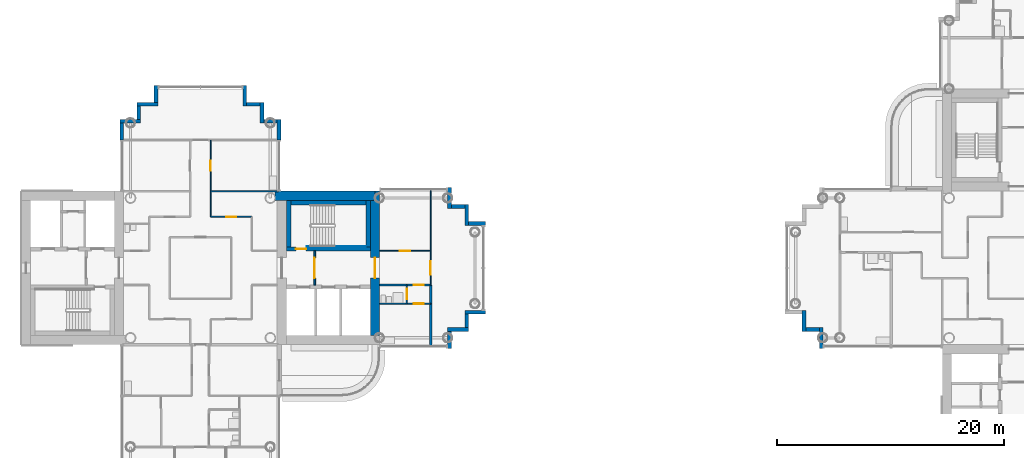
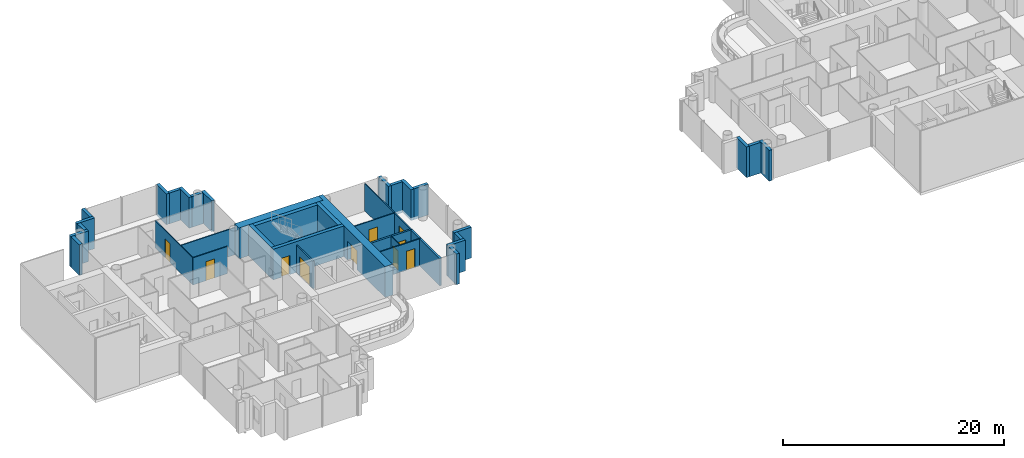
# One storey, part 9 of 19: 38 walls, 10 doors, 10 openings.
"""IFC4 building model written with IfcOpenShell, lengths in metres."""

from ifc_helpers import new_model, si_unit, direction, frame, frame_2d, origin, place, context, subcontext, project, spatial, rectangle, extrude, material, layer, layer_set, type_object, element, fill, save


model = new_model("IFC4")

# Units and contexts
model_context = context("Model", 3, precision=1e-05, world=origin(), true_north=direction((0.0, 1.0)))
body_context = subcontext(model_context, "Body", "Model", "MODEL_VIEW")
ifc_project = project(units=[si_unit("LENGTHUNIT", "METRE"), si_unit("AREAUNIT", "SQUARE_METRE"), si_unit("VOLUMEUNIT", "CUBIC_METRE"), si_unit("PLANEANGLEUNIT", "RADIAN"), si_unit("MASSUNIT", "GRAM", prefix="KILO")], contexts=[model_context])

# Site, building, storey
site_placement = place(None, origin())
site = spatial("IfcSite", under=ifc_project, at=site_placement, CompositionType="ELEMENT")
building_placement = place(site_placement, origin())
building = spatial("IfcBuilding", under=site, at=building_placement, Name="Ipe Terrace Towers", CompositionType="ELEMENT")
storey_placement = place(building_placement, frame((0.0, 0.0, 140.5)))
storey = spatial("IfcBuildingStorey", under=building, at=storey_placement, Name="L38", CompositionType="ELEMENT", Elevation=140.5)

# Walls
ifc_material_1 = material(Name="Concrete C40/50 with buff precast cladding", Category="concrete")
ifc_layer_1 = layer(ifc_material_1, 0.320068359375)
ifc_layer_set_1 = layer_set([ifc_layer_1], Name="BUFF CLADDING WALL 320")
wall_type_1 = type_object("IfcWallType", Name="BUFF CLADDING WALL 320", PredefinedType="STANDARD", material=ifc_layer_set_1)
wall_1_placement = place(storey_placement, frame((-14.090087890625, -7.070068359375, -0.300048828125), z_axis=(0.0, 0.0, 1.0), x_axis=(0.0, 1.0, 0.0)))
element("IfcWall", 1, at=wall_1_placement, inside=storey, type_object=wall_type_1, Name="T1-W-L38-17a wall", PredefinedType="STANDARD", context=body_context, shape_type="SweptSolid", body=[
    extrude(rectangle(XDim=1.5, YDim=0.320068359375, at=frame_2d((0.75, 0.0))), origin(), (0.0, 0.0, 1.0), 3.400146484375),
])
wall_2_placement = place(storey_placement, frame((-14.25, -5.409912109375, -0.300048828125), z_axis=(0.0, 0.0, 1.0), x_axis=(1.0, 0.0, 0.0)))
element("IfcWall", 2, at=wall_2_placement, inside=storey, type_object=wall_type_1, Name="T1-W-L38-18a wall", PredefinedType="STANDARD", context=body_context, shape_type="SweptSolid", body=[
    extrude(rectangle(XDim=1.820068359375, YDim=0.320068359375, at=frame_2d((0.91015625, 0.0))), origin(), (0.0, 0.0, 1.0), 3.400146484375),
])
wall_3_placement = place(storey_placement, frame((-12.590087890625, -5.25, -0.300048828125), z_axis=(0.0, 0.0, 1.0), x_axis=(0.0, 1.0, 0.0)))
element("IfcWall", 3, at=wall_3_placement, inside=storey, type_object=wall_type_1, Name="T1-W-L38-19a wall", PredefinedType="STANDARD", context=body_context, shape_type="SweptSolid", body=[
    extrude(rectangle(XDim=1.179931640625, YDim=0.320068359375, at=frame_2d((0.58984375, 0.0))), origin(), (0.0, 0.0, 1.0), 3.400146484375),
])
wall_4_placement = place(storey_placement, frame((-12.75, -3.909912109375, -0.300048828125), z_axis=(0.0, 0.0, 1.0), x_axis=(1.0, 0.0, 0.0)))
element("IfcWall", 4, at=wall_4_placement, inside=storey, type_object=wall_type_1, Name="T1-W-L38-20a wall", PredefinedType="STANDARD", context=body_context, shape_type="SweptSolid", body=[
    extrude(rectangle(XDim=1.820068359375, YDim=0.320068359375, at=frame_2d((0.91015625, 0.0))), origin(), (0.0, 0.0, 1.0), 3.400146484375),
])
wall_5_placement = place(storey_placement, frame((-10.929931640625, 3.909912109375, -0.300048828125), z_axis=(0.0, 0.0, 1.0), x_axis=(-1.0, 0.0, 0.0)))
element("IfcWall", 5, at=wall_5_placement, inside=storey, type_object=wall_type_1, Name="T1-W-L38-22a wall", PredefinedType="STANDARD", context=body_context, shape_type="SweptSolid", body=[
    extrude(rectangle(XDim=1.5, YDim=0.320068359375, at=frame_2d((0.75, 0.0))), origin(), (0.0, 0.0, 1.0), 3.400146484375),
])
wall_6_placement = place(storey_placement, frame((-12.590087890625, 3.75, -0.300048828125), z_axis=(0.0, 0.0, 1.0), x_axis=(0.0, 1.0, 0.0)))
element("IfcWall", 6, at=wall_6_placement, inside=storey, type_object=wall_type_1, Name="T1-W-L38-23a wall", PredefinedType="STANDARD", context=body_context, shape_type="SweptSolid", body=[
    extrude(rectangle(XDim=1.820068359375, YDim=0.320068359375, at=frame_2d((0.91015625, 0.0))), origin(), (0.0, 0.0, 1.0), 3.400146484375),
])
wall_7_placement = place(storey_placement, frame((-12.75, 5.409912109375, -0.300048828125), z_axis=(0.0, 0.0, 1.0), x_axis=(-1.0, 0.0, 0.0)))
element("IfcWall", 7, at=wall_7_placement, inside=storey, type_object=wall_type_1, Name="T1-W-L38-24a wall", PredefinedType="STANDARD", context=body_context, shape_type="SweptSolid", body=[
    extrude(rectangle(XDim=1.179931640625, YDim=0.320068359375, at=frame_2d((0.58984375, 0.0))), origin(), (0.0, 0.0, 1.0), 3.400146484375),
])
for number, where, z_axis, x_axis, name in (
    (8, (-14.090087890625, 5.25, -0.300048828125), (0.0, 0.0, 1.0), (0.0, 1.0, 0.0), "T1-W-L38-25a wall"),
    (9, (-29.090087890625, 11.25, -0.300048828125), (0.0, 0.0, 1.0), (0.0, 1.0, 0.0), "T1-W-L38-29a wall"),
):
    element("IfcWall", number, at=place(storey_placement, frame(where, z_axis=z_axis, x_axis=x_axis)), inside=storey, type_object=wall_type_1, Name=name, PredefinedType="STANDARD", context=body_context, shape_type="SweptSolid", body=[
        extrude(rectangle(XDim=1.820068359375, YDim=0.320068359375, at=frame_2d((0.91015625, 0.0))), origin(), (0.0, 0.0, 1.0), 3.400146484375),
    ])
wall_8_placement = place(storey_placement, frame((-29.25, 12.909912109375, -0.300048828125), z_axis=(0.0, 0.0, 1.0), x_axis=(-1.0, 0.0, 0.0)))
element("IfcWall", 10, at=wall_8_placement, inside=storey, type_object=wall_type_1, Name="T1-W-L38-30a wall", PredefinedType="STANDARD", context=body_context, shape_type="SweptSolid", body=[
    extrude(rectangle(XDim=1.179931640625, YDim=0.320068359375, at=frame_2d((0.58984375, 0.0))), origin(), (0.0, 0.0, 1.0), 3.400146484375),
])
wall_9_placement = place(storey_placement, frame((-30.590087890625, 12.75, -0.300048828125), z_axis=(0.0, 0.0, 1.0), x_axis=(0.0, 1.0, 0.0)))
element("IfcWall", 11, at=wall_9_placement, inside=storey, type_object=wall_type_1, Name="T1-W-L38-31a wall", PredefinedType="STANDARD", context=body_context, shape_type="SweptSolid", body=[
    extrude(rectangle(XDim=1.820068359375, YDim=0.320068359375, at=frame_2d((0.91015625, 0.0))), origin(), (0.0, 0.0, 1.0), 3.400146484375),
])
wall_10_placement = place(storey_placement, frame((-30.75, 14.409912109375, -0.300048828125), z_axis=(0.0, 0.0, 1.0), x_axis=(-1.0, 0.0, 0.0)))
element("IfcWall", 12, at=wall_10_placement, inside=storey, type_object=wall_type_1, Name="T1-W-L38-32a wall", PredefinedType="STANDARD", context=body_context, shape_type="SweptSolid", body=[
    extrude(rectangle(XDim=1.179931640625, YDim=0.320068359375, at=frame_2d((0.58984375, 0.0))), origin(), (0.0, 0.0, 1.0), 3.400146484375),
])
wall_11_placement = place(storey_placement, frame((-32.090087890625, 14.25, -0.300048828125), z_axis=(0.0, 0.0, 1.0), x_axis=(0.0, 1.0, 0.0)))
element("IfcWall", 13, at=wall_11_placement, inside=storey, type_object=wall_type_1, Name="T1-W-L38-33a wall", PredefinedType="STANDARD", context=body_context, shape_type="SweptSolid", body=[
    extrude(rectangle(XDim=1.820068359375, YDim=0.320068359375, at=frame_2d((0.91015625, 0.0))), origin(), (0.0, 0.0, 1.0), 3.400146484375),
])
wall_12_placement = place(storey_placement, frame((-39.909912109375, 16.070068359375, -0.300048828125), z_axis=(0.0, 0.0, 1.0), x_axis=(0.0, -1.0, 0.0)))
element("IfcWall", 14, at=wall_12_placement, inside=storey, type_object=wall_type_1, Name="T1-W-L38-35a wall", PredefinedType="STANDARD", context=body_context, shape_type="SweptSolid", body=[
    extrude(rectangle(XDim=1.5, YDim=0.320068359375, at=frame_2d((0.75, 0.0))), origin(), (0.0, 0.0, 1.0), 3.400146484375),
])
wall_13_placement = place(storey_placement, frame((-39.75, 14.409912109375, -0.300048828125), z_axis=(0.0, 0.0, 1.0), x_axis=(-1.0, 0.0, 0.0)))
element("IfcWall", 15, at=wall_13_placement, inside=storey, type_object=wall_type_1, Name="T1-W-L38-36a wall", PredefinedType="STANDARD", context=body_context, shape_type="SweptSolid", body=[
    extrude(rectangle(XDim=1.820068359375, YDim=0.320068359375, at=frame_2d((0.91015625, 0.0))), origin(), (0.0, 0.0, 1.0), 3.400146484375),
])
wall_14_placement = place(storey_placement, frame((-41.409912109375, 14.25, -0.300048828125), z_axis=(0.0, 0.0, 1.0), x_axis=(0.0, -1.0, 0.0)))
element("IfcWall", 16, at=wall_14_placement, inside=storey, type_object=wall_type_1, Name="T1-W-L38-37a wall", PredefinedType="STANDARD", context=body_context, shape_type="SweptSolid", body=[
    extrude(rectangle(XDim=1.179931640625, YDim=0.320068359375, at=frame_2d((0.58984375, 0.0))), origin(), (0.0, 0.0, 1.0), 3.400146484375),
])
wall_15_placement = place(storey_placement, frame((-41.25, 12.909912109375, -0.300048828125), z_axis=(0.0, 0.0, 1.0), x_axis=(-1.0, 0.0, 0.0)))
element("IfcWall", 17, at=wall_15_placement, inside=storey, type_object=wall_type_1, Name="T1-W-L38-38a wall", PredefinedType="STANDARD", context=body_context, shape_type="SweptSolid", body=[
    extrude(rectangle(XDim=1.820068359375, YDim=0.320068359375, at=frame_2d((0.91015625, 0.0))), origin(), (0.0, 0.0, 1.0), 3.400146484375),
])
wall_16_placement = place(storey_placement, frame((-42.909912109375, 12.75, -0.300048828125), z_axis=(0.0, 0.0, 1.0), x_axis=(0.0, -1.0, 0.0)))
element("IfcWall", 18, at=wall_16_placement, inside=storey, type_object=wall_type_1, Name="T1-W-L38-39a wall", PredefinedType="STANDARD", context=body_context, shape_type="SweptSolid", body=[
    extrude(rectangle(XDim=1.5, YDim=0.320068359375, at=frame_2d((0.75, 0.0))), origin(), (0.0, 0.0, 1.0), 3.400146484375),
])
wall_17_placement = place(storey_placement, frame((17.090087890625, -3.75, -0.300048828125), z_axis=(0.0, 0.0, 1.0), x_axis=(0.0, -1.0, 0.0)))
element("IfcWall", 19, at=wall_17_placement, inside=storey, type_object=wall_type_1, Name="T2-W-L38-36a wall", PredefinedType="STANDARD", context=body_context, shape_type="SweptSolid", body=[
    extrude(rectangle(XDim=1.820068359375, YDim=0.320068359375, at=frame_2d((0.91015625, 0.0))), origin(), (0.0, 0.0, 1.0), 3.400146484375),
])
wall_18_placement = place(storey_placement, frame((17.25, -5.409912109375, -0.300048828125), z_axis=(0.0, 0.0, 1.0), x_axis=(1.0, 0.0, 0.0)))
element("IfcWall", 20, at=wall_18_placement, inside=storey, type_object=wall_type_1, Name="T2-W-L38-37a wall", PredefinedType="STANDARD", context=body_context, shape_type="SweptSolid", body=[
    extrude(rectangle(XDim=1.179931640625, YDim=0.320068359375, at=frame_2d((0.58984375, 0.0))), origin(), (0.0, 0.0, 1.0), 3.400146484375),
])
wall_19_placement = place(storey_placement, frame((18.590087890625, -5.25, -0.300048828125), z_axis=(0.0, 0.0, 1.0), x_axis=(0.0, -1.0, 0.0)))
element("IfcWall", 21, at=wall_19_placement, inside=storey, type_object=wall_type_1, Name="T2-W-L38-38a wall", PredefinedType="STANDARD", context=body_context, shape_type="SweptSolid", body=[
    extrude(rectangle(XDim=1.820068359375, YDim=0.320068359375, at=frame_2d((0.91015625, 0.0))), origin(), (0.0, 0.0, 1.0), 3.400146484375),
])

# Wall, opening, door
ifc_material_2 = material(Name="Gypsum board partition", Category="plasterboard")
ifc_layer_2 = layer(ifc_material_2, 0.10009765625)
ifc_layer_set_2 = layer_set([ifc_layer_2], Name="Gypsum board partition 100 mm")
wall_type_2 = type_object("IfcWallType", Name="Gypsum board partition 100 mm", PredefinedType="PARTITIONING", material=ifc_layer_set_2)
wall_20_placement = place(storey_placement, frame((-35.10009765625, 4.5, 0.0), z_axis=(0.0, 0.0, 1.0), x_axis=(0.0, 1.0, 0.0)))
wall_20 = element("IfcWall", 22, at=wall_20_placement, inside=storey, type_object=wall_type_2, Name="Gypsum board partition T1 L38 W12", PredefinedType="PARTITIONING", context=body_context, shape_type="SweptSolid", body=[
    extrude(rectangle(XDim=6.75, YDim=0.10009765625, at=frame_2d((3.375, 0.0))), origin(), (0.0, 0.0, 1.0), 3.0),
])
opening_1_placement = place(wall_20_placement, frame((4.050048828125, 0.0, 0.0)))
opening_1 = element("IfcOpeningElement", 23, at=opening_1_placement, cuts=wall_20, Name="Opening T1-Z3A-08", PredefinedType="OPENING", context=body_context, shape_type="SweptSolid", body=[
    extrude(rectangle(XDim=0.89990234375, YDim=2.10009765625, at=frame_2d((0.449951171875, 1.050048828125))), frame((0.0, 0.06005859375, 0.0), z_axis=(0.0, -1.0, 0.0), x_axis=(1.0, 0.0, 0.0)), (0.0, 0.0, 1.0), 0.1201171875),
])
ifc_material_3 = material(Name="Timber door leaf", Category="wood")
door_type_1 = type_object("IfcDoorType", Name="Lounge door 900 x 2100", OperationType="NOTDEFINED", PredefinedType="DOOR", material=ifc_material_3)
door_1_placement = place(opening_1_placement, origin())
door_1 = element("IfcDoor", 24, at=door_1_placement, inside=storey, type_object=door_type_1, Name="Lounge door T1-Z3A-08", OperationType="SINGLE_SWING_RIGHT", OverallHeight=2.10009765625, OverallWidth=0.89990234375, PredefinedType="DOOR", context=body_context, shape_type="SweptSolid", body=[
    extrude(rectangle(XDim=0.89990234375, YDim=2.10009765625, at=frame_2d((0.449951171875, 1.050048828125))), frame((0.0, 0.02490234375, 0.0), z_axis=(0.0, -1.0, 0.0), x_axis=(1.0, 0.0, 0.0)), (0.0, 0.0, 1.0), 0.050048828125),
])
fill(opening_1, door_1)

wall_21_placement = place(storey_placement, frame((-17.85009765625, -3.14990234375, 0.0), z_axis=(0.0, 0.0, 1.0), x_axis=(0.0, 1.0, 0.0)))
wall_21 = element("IfcWall", 25, at=wall_21_placement, inside=storey, type_object=wall_type_2, Name="Gypsum board partition T1 L38 W18", PredefinedType="PARTITIONING", context=body_context, shape_type="SweptSolid", body=[
    extrude(rectangle(XDim=1.64990234375, YDim=0.10009765625, at=frame_2d((0.824951171875, 0.0))), origin(), (0.0, 0.0, 1.0), 3.0),
])
opening_2_placement = place(wall_21_placement, frame((0.39990234375, 0.0, 0.0)))
opening_2 = element("IfcOpeningElement", 26, at=opening_2_placement, cuts=wall_21, Name="Opening T1-Z3A-23", PredefinedType="OPENING", context=body_context, shape_type="SweptSolid", body=[
    extrude(rectangle(XDim=0.89990234375, YDim=2.10009765625, at=frame_2d((0.449951171875, 1.050048828125))), frame((0.0, 0.06005859375, 0.0), z_axis=(0.0, -1.0, 0.0), x_axis=(1.0, 0.0, 0.0)), (0.0, 0.0, 1.0), 0.1201171875),
])
ifc_material_4 = material(Name="Timber door leaf", Category="wood")
door_type_2 = type_object("IfcDoorType", Name="Bathroom door 900 x 2100", OperationType="NOTDEFINED", PredefinedType="DOOR", material=ifc_material_4)
door_2_placement = place(opening_2_placement, origin())
door_2 = element("IfcDoor", 27, at=door_2_placement, inside=storey, type_object=door_type_2, Name="Bathroom door T1-Z3A-23", OperationType="SINGLE_SWING_LEFT", OverallHeight=2.10009765625, OverallWidth=0.89990234375, PredefinedType="DOOR", context=body_context, shape_type="SweptSolid", body=[
    extrude(rectangle(XDim=0.89990234375, YDim=2.10009765625, at=frame_2d((0.449951171875, 1.050048828125))), frame((0.0, 0.02490234375, 0.0), z_axis=(0.0, -1.0, 0.0), x_axis=(1.0, 0.0, 0.0)), (0.0, 0.0, 1.0), 0.050048828125),
])
fill(opening_2, door_2)

wall_22_placement = place(storey_placement, frame((-15.75, -1.5, 0.0), z_axis=(0.0, 0.0, 1.0), x_axis=(0.0, 1.0, 0.0)))
wall_22 = element("IfcWall", 28, at=wall_22_placement, inside=storey, type_object=wall_type_2, Name="Gypsum board partition T1 L38 W19", PredefinedType="PARTITIONING", context=body_context, shape_type="SweptSolid", body=[
    extrude(rectangle(XDim=8.35009765625, YDim=0.10009765625, at=frame_2d((4.175048828125, 0.0))), origin(), (0.0, 0.0, 1.0), 3.0),
])
opening_3_placement = place(wall_22_placement, frame((0.89990234375, 0.0, 0.0)))
opening_3 = element("IfcOpeningElement", 29, at=opening_3_placement, cuts=wall_22, Name="Opening T1-Z3A-24", PredefinedType="OPENING", context=body_context, shape_type="SweptSolid", body=[
    extrude(rectangle(XDim=1.199951171875, YDim=2.10009765625, at=frame_2d((0.60009765625, 1.050048828125))), frame((0.0, 0.06005859375, 0.0), z_axis=(0.0, -1.0, 0.0), x_axis=(1.0, 0.0, 0.0)), (0.0, 0.0, 1.0), 0.1201171875),
])
ifc_material_5 = material(Name="Timber door leaf", Category="wood")
door_type_3 = type_object("IfcDoorType", Name="Lounge door 1200 x 2100", OperationType="NOTDEFINED", PredefinedType="DOOR", material=ifc_material_5)
door_3_placement = place(opening_3_placement, origin())
door_3 = element("IfcDoor", 30, at=door_3_placement, inside=storey, type_object=door_type_3, Name="Lounge door T1-Z3A-24", OperationType="SINGLE_SWING_LEFT", OverallHeight=2.10009765625, OverallWidth=1.199951171875, PredefinedType="DOOR", context=body_context, shape_type="SweptSolid", body=[
    extrude(rectangle(XDim=1.199951171875, YDim=2.10009765625, at=frame_2d((0.60009765625, 1.050048828125))), frame((0.0, 0.02490234375, 0.0), z_axis=(0.0, -1.0, 0.0), x_axis=(1.0, 0.0, 0.0)), (0.0, 0.0, 1.0), 0.050048828125),
])
fill(opening_3, door_3)

wall_23_placement = place(storey_placement, frame((-20.25, -3.14990234375, 0.0), z_axis=(0.0, 0.0, 1.0), x_axis=(1.0, 0.0, 0.0)))
wall_23 = element("IfcWall", 31, at=wall_23_placement, inside=storey, type_object=wall_type_2, Name="Gypsum board partition T1 L38 W29", PredefinedType="PARTITIONING", context=body_context, shape_type="SweptSolid", body=[
    extrude(rectangle(XDim=4.5, YDim=0.10009765625, at=frame_2d((2.25, 0.0))), origin(), (0.0, 0.0, 1.0), 3.0),
])
opening_4_placement = place(wall_23_placement, frame((3.0, 0.0, 0.0)))
opening_4 = element("IfcOpeningElement", 32, at=opening_4_placement, cuts=wall_23, Name="Opening T1-Z3A-22", PredefinedType="OPENING", context=body_context, shape_type="SweptSolid", body=[
    extrude(rectangle(XDim=0.89990234375, YDim=2.10009765625, at=frame_2d((0.449951171875, 1.050048828125))), frame((0.0, 0.06005859375, 0.0), z_axis=(0.0, -1.0, 0.0), x_axis=(1.0, 0.0, 0.0)), (0.0, 0.0, 1.0), 0.1201171875),
])
ifc_material_6 = material(Name="Timber door leaf", Category="wood")
door_type_4 = type_object("IfcDoorType", Name="Bedroom door 900 x 2100", OperationType="NOTDEFINED", PredefinedType="DOOR", material=ifc_material_6)
door_4_placement = place(opening_4_placement, origin())
door_4 = element("IfcDoor", 33, at=door_4_placement, inside=storey, type_object=door_type_4, Name="Bedroom door T1-Z3A-22", OperationType="SINGLE_SWING_RIGHT", OverallHeight=2.10009765625, OverallWidth=0.89990234375, PredefinedType="DOOR", context=body_context, shape_type="SweptSolid", body=[
    extrude(rectangle(XDim=0.89990234375, YDim=2.10009765625, at=frame_2d((0.449951171875, 1.050048828125))), frame((0.0, 0.02490234375, 0.0), z_axis=(0.0, -1.0, 0.0), x_axis=(1.0, 0.0, 0.0)), (0.0, 0.0, 1.0), 0.050048828125),
])
fill(opening_4, door_4)

wall_24_placement = place(storey_placement, frame((-20.25, 1.5, 0.0), z_axis=(0.0, 0.0, 1.0), x_axis=(1.0, 0.0, 0.0)))
wall_24 = element("IfcWall", 34, at=wall_24_placement, inside=storey, type_object=wall_type_2, Name="Gypsum board partition T1 L38 W36", PredefinedType="PARTITIONING", context=body_context, shape_type="SweptSolid", body=[
    extrude(rectangle(XDim=4.5, YDim=0.10009765625, at=frame_2d((2.25, 0.0))), origin(), (0.0, 0.0, 1.0), 3.0),
])
opening_5_placement = place(wall_24_placement, frame((1.800048828125, 0.0, 0.0)))
opening_5 = element("IfcOpeningElement", 35, at=opening_5_placement, cuts=wall_24, Name="Opening T1-Z3A-20", PredefinedType="OPENING", context=body_context, shape_type="SweptSolid", body=[
    extrude(rectangle(XDim=0.89990234375, YDim=2.10009765625, at=frame_2d((0.449951171875, 1.050048828125))), frame((0.0, 0.06005859375, 0.0), z_axis=(0.0, -1.0, 0.0), x_axis=(1.0, 0.0, 0.0)), (0.0, 0.0, 1.0), 0.1201171875),
])
door_5_placement = place(opening_5_placement, origin())
door_5 = element("IfcDoor", 36, at=door_5_placement, inside=storey, type_object=door_type_1, Name="Lounge door T1-Z3A-20", OperationType="SINGLE_SWING_LEFT", OverallHeight=2.10009765625, OverallWidth=0.89990234375, PredefinedType="DOOR", context=body_context, shape_type="SweptSolid", body=[
    extrude(rectangle(XDim=0.89990234375, YDim=2.10009765625, at=frame_2d((0.449951171875, 1.050048828125))), frame((0.0, 0.02490234375, 0.0), z_axis=(0.0, -1.0, 0.0), x_axis=(1.0, 0.0, 0.0)), (0.0, 0.0, 1.0), 0.050048828125),
])
fill(opening_5, door_5)

wall_25_placement = place(storey_placement, frame((-35.10009765625, 4.5, 0.0), z_axis=(0.0, 0.0, 1.0), x_axis=(1.0, 0.0, 0.0)))
wall_25 = element("IfcWall", 37, at=wall_25_placement, inside=storey, type_object=wall_type_2, Name="Gypsum board partition T1 L38 W40", PredefinedType="PARTITIONING", context=body_context, shape_type="SweptSolid", body=[
    extrude(rectangle(XDim=3.60009765625, YDim=0.10009765625, at=frame_2d((1.800048828125, 0.0))), origin(), (0.0, 0.0, 1.0), 3.0),
])
opening_6_placement = place(wall_25_placement, frame((1.35009765625, 0.0, 0.0)))
opening_6 = element("IfcOpeningElement", 38, at=opening_6_placement, cuts=wall_25, Name="Opening T1-Z3A-03", PredefinedType="OPENING", context=body_context, shape_type="SweptSolid", body=[
    extrude(rectangle(XDim=0.89990234375, YDim=2.10009765625, at=frame_2d((0.449951171875, 1.050048828125))), frame((0.0, 0.06005859375, 0.0), z_axis=(0.0, -1.0, 0.0), x_axis=(1.0, 0.0, 0.0)), (0.0, 0.0, 1.0), 0.1201171875),
])
door_6_placement = place(opening_6_placement, origin())
door_6 = element("IfcDoor", 39, at=door_6_placement, inside=storey, type_object=door_type_1, Name="Lounge door T1-Z3A-03", OperationType="SINGLE_SWING_RIGHT", OverallHeight=2.10009765625, OverallWidth=0.89990234375, PredefinedType="DOOR", context=body_context, shape_type="SweptSolid", body=[
    extrude(rectangle(XDim=0.89990234375, YDim=2.10009765625, at=frame_2d((0.449951171875, 1.050048828125))), frame((0.0, 0.02490234375, 0.0), z_axis=(0.0, -1.0, 0.0), x_axis=(1.0, 0.0, 0.0)), (0.0, 0.0, 1.0), 0.050048828125),
])
fill(opening_6, door_6)

# Wall
wall_26_placement = place(storey_placement, frame((-35.10009765625, 6.75, 0.0), z_axis=(0.0, 0.0, 1.0), x_axis=(1.0, 0.0, 0.0)))
element("IfcWall", 40, at=wall_26_placement, inside=storey, type_object=wall_type_2, Name="Gypsum board partition T1 L38 W42", PredefinedType="PARTITIONING", context=body_context, shape_type="SweptSolid", body=[
    extrude(rectangle(XDim=5.9501953125, YDim=0.10009765625, at=frame_2d((2.97509765625, 0.0))), origin(), (0.0, 0.0, 1.0), 3.0),
])

# Wall, opening, door
ifc_material_7 = material(Name="Gypsum board partition", Category="plasterboard")
ifc_layer_3 = layer(ifc_material_7, 0.14990234375)
ifc_layer_set_3 = layer_set([ifc_layer_3], Name="Gypsum board partition 150 mm")
wall_type_3 = type_object("IfcWallType", Name="Gypsum board partition 150 mm", PredefinedType="PARTITIONING", material=ifc_layer_set_3)
wall_27_placement = place(storey_placement, frame((-25.949951171875, -1.5, 0.0), z_axis=(0.0, 0.0, 1.0), x_axis=(0.0, 1.0, 0.0)))
wall_27 = element("IfcWall", 41, at=wall_27_placement, inside=storey, type_object=wall_type_3, Name="Gypsum board partition T1 L38 t1c1-lobby-wall", PredefinedType="PARTITIONING", context=body_context, shape_type="SweptSolid", body=[
    extrude(rectangle(XDim=3.0, YDim=0.14990234375, at=frame_2d((1.5, 0.0))), origin(), (0.0, 0.0, 1.0), 3.0),
])
opening_7_placement = place(wall_27_placement, frame((0.60009765625, 0.0, 0.0)))
opening_7 = element("IfcOpeningElement", 42, at=opening_7_placement, cuts=wall_27, Name="Opening T1C1-VD", PredefinedType="OPENING", context=body_context, shape_type="SweptSolid", body=[
    extrude(rectangle(XDim=1.800048828125, YDim=2.10009765625, at=frame_2d((0.89990234375, 1.050048828125))), frame((0.0, 0.0849609375, 0.0), z_axis=(0.0, -1.0, 0.0), x_axis=(1.0, 0.0, 0.0)), (0.0, 0.0, 1.0), 0.169921875),
])
ifc_material_8 = material(Name="Fire-rated timber door leaf", Category="wood")
door_type_5 = type_object("IfcDoorType", Name="Lobby door 1800 x 2100 FD60", OperationType="NOTDEFINED", PredefinedType="DOOR", material=ifc_material_8)
door_7_placement = place(opening_7_placement, origin())
door_7 = element("IfcDoor", 43, at=door_7_placement, inside=storey, type_object=door_type_5, Name="Lobby door T1C1-VD", OperationType="SINGLE_SWING_LEFT", OverallHeight=2.10009765625, OverallWidth=1.800048828125, PredefinedType="DOOR", context=body_context, shape_type="SweptSolid", body=[
    extrude(rectangle(XDim=1.800048828125, YDim=2.10009765625, at=frame_2d((0.89990234375, 1.050048828125))), frame((0.0, 0.02490234375, 0.0), z_axis=(0.0, -1.0, 0.0), x_axis=(1.0, 0.0, 0.0)), (0.0, 0.0, 1.0), 0.050048828125),
])
fill(opening_7, door_7)

# Wall
ifc_material_9 = material(Name="Gypsum board party wall", Category="plasterboard")
ifc_layer_4 = layer(ifc_material_9, 0.199951171875)
ifc_layer_set_4 = layer_set([ifc_layer_4], Name="Gypsum board party wall 200 mm")
wall_type_4 = type_object("IfcWallType", Name="Gypsum board party wall 200 mm", PredefinedType="SOLIDWALL", material=ifc_layer_set_4)
wall_28_placement = place(storey_placement, frame((-15.75, -6.85009765625, 0.0), z_axis=(0.0, 0.0, 1.0), x_axis=(0.0, 1.0, 0.0)))
element("IfcWall", 44, at=wall_28_placement, inside=storey, type_object=wall_type_4, Name="Gypsum board party wall T1 L38 W20", PredefinedType="SOLIDWALL", context=body_context, shape_type="SweptSolid", body=[
    extrude(rectangle(XDim=5.35009765625, YDim=0.199951171875, at=frame_2d((2.675048828125, 0.0))), origin(), (0.0, 0.0, 1.0), 3.0),
])

# Wall, opening, door
wall_29_placement = place(storey_placement, frame((-20.25, -1.5, 0.0), z_axis=(0.0, 0.0, 1.0), x_axis=(1.0, 0.0, 0.0)))
wall_29 = element("IfcWall", 45, at=wall_29_placement, inside=storey, type_object=wall_type_4, Name="Gypsum board party wall T1 L38 W33", PredefinedType="SOLIDWALL", context=body_context, shape_type="SweptSolid", body=[
    extrude(rectangle(XDim=4.5, YDim=0.199951171875, at=frame_2d((2.25, 0.0))), origin(), (0.0, 0.0, 1.0), 3.0),
])
opening_8_placement = place(wall_29_placement, frame((3.0, 0.0, 0.0)))
opening_8 = element("IfcOpeningElement", 46, at=opening_8_placement, cuts=wall_29, Name="Opening T1-Z3A-21", PredefinedType="OPENING", context=body_context, shape_type="SweptSolid", body=[
    extrude(rectangle(XDim=0.89990234375, YDim=2.10009765625, at=frame_2d((0.449951171875, 1.050048828125))), frame((0.0, 0.10986328125, 0.0), z_axis=(0.0, -1.0, 0.0), x_axis=(1.0, 0.0, 0.0)), (0.0, 0.0, 1.0), 0.219970703125),
])
ifc_material_10 = material(Name="Fire-rated timber door leaf", Category="wood")
door_type_6 = type_object("IfcDoorType", Name="Flat entrance door 900 x 2100 FD30S", OperationType="NOTDEFINED", PredefinedType="DOOR", material=ifc_material_10)
door_8_placement = place(opening_8_placement, origin())
door_8 = element("IfcDoor", 47, at=door_8_placement, inside=storey, type_object=door_type_6, Name="Flat entrance door T1-Z3A-21", OperationType="SINGLE_SWING_RIGHT", OverallHeight=2.10009765625, OverallWidth=0.89990234375, PredefinedType="DOOR", context=body_context, shape_type="SweptSolid", body=[
    extrude(rectangle(XDim=0.89990234375, YDim=2.10009765625, at=frame_2d((0.449951171875, 1.050048828125))), frame((0.0, 0.02490234375, 0.0), z_axis=(0.0, -1.0, 0.0), x_axis=(1.0, 0.0, 0.0)), (0.0, 0.0, 1.0), 0.050048828125),
])
fill(opening_8, door_8)

ifc_material_11 = material(Name="Concrete C50/60", Category="concrete")
ifc_layer_5 = layer(ifc_material_11, 0.35009765625)
ifc_layer_set_5 = layer_set([ifc_layer_5], Name="RW350 CORE SPINE WALL 350 C50-60")
wall_type_5 = type_object("IfcWallType", Name="RW350 CORE SPINE WALL 350 C50-60", PredefinedType="SHEAR", material=ifc_layer_set_5)
wall_30_placement = place(storey_placement, frame((-28.449951171875, 1.675048828125, 0.0), z_axis=(0.0, 0.0, 1.0), x_axis=(1.0, 0.0, 0.0)))
wall_30 = element("IfcWall", 48, at=wall_30_placement, inside=storey, type_object=wall_type_5, Name="Core spine wall T1-C1-Z3-SW2", PredefinedType="SHEAR", context=body_context, shape_type="SweptSolid", body=[
    extrude(rectangle(XDim=7.39990234375, YDim=0.35009765625, at=frame_2d((3.699951171875, 0.0))), origin(), (0.0, 0.0, 1.0), 3.39990234375),
])
opening_9_placement = place(wall_30_placement, frame((0.85009765625, 0.0, 0.0)))
opening_9 = element("IfcOpeningElement", 49, at=opening_9_placement, cuts=wall_30, Name="Opening T1C1-SD", PredefinedType="OPENING", context=body_context, shape_type="SweptSolid", body=[
    extrude(rectangle(XDim=0.89990234375, YDim=2.10009765625, at=frame_2d((0.449951171875, 1.050048828125))), frame((0.0, 0.18505859375, 0.0), z_axis=(0.0, -1.0, 0.0), x_axis=(1.0, 0.0, 0.0)), (0.0, 0.0, 1.0), 0.3701171875),
])
ifc_material_12 = material(Name="Fire-rated timber door leaf", Category="wood")
door_type_7 = type_object("IfcDoorType", Name="Stair door 900 x 2100 FD60", OperationType="NOTDEFINED", PredefinedType="DOOR", material=ifc_material_12)
door_9_placement = place(opening_9_placement, origin())
door_9 = element("IfcDoor", 50, at=door_9_placement, inside=storey, type_object=door_type_7, Name="Stair door T1C1-SD", OperationType="SINGLE_SWING_LEFT", OverallHeight=2.10009765625, OverallWidth=0.89990234375, PredefinedType="DOOR", context=body_context, shape_type="SweptSolid", body=[
    extrude(rectangle(XDim=0.89990234375, YDim=2.10009765625, at=frame_2d((0.449951171875, 1.050048828125))), frame((0.0, 0.02490234375, 0.0), z_axis=(0.0, -1.0, 0.0), x_axis=(1.0, 0.0, 0.0)), (0.0, 0.0, 1.0), 0.050048828125),
])
fill(opening_9, door_9)

# Walls
ifc_material_13 = material(Name="Concrete C50/60", Category="concrete")
ifc_layer_6 = layer(ifc_material_13, 0.39990234375)
ifc_layer_set_6 = layer_set([ifc_layer_6], Name="RW400 CORE INFILL WALL 400 C50-60")
wall_type_6 = type_object("IfcWallType", Name="RW400 CORE INFILL WALL 400 C50-60", PredefinedType="SHEAR", material=ifc_layer_set_6)
wall_31_placement = place(storey_placement, frame((-21.25, 1.85009765625, 0.0), z_axis=(0.0, 0.0, 1.0), x_axis=(0.0, 1.0, 0.0)))
element("IfcWall", 51, at=wall_31_placement, inside=storey, type_object=wall_type_6, Name="Core infill wall T1-C1-far", PredefinedType="SHEAR", context=body_context, shape_type="SweptSolid", body=[
    extrude(rectangle(XDim=4.099853515625, YDim=0.39990234375, at=frame_2d((2.0498046875, 0.0))), origin(), (0.0, 0.0, 1.0), 3.39990234375),
])
wall_32_placement = place(storey_placement, frame((-28.050048828125, 5.75, 0.0), z_axis=(0.0, 0.0, 1.0), x_axis=(1.0, 0.0, 0.0)))
element("IfcWall", 52, at=wall_32_placement, inside=storey, type_object=wall_type_6, Name="Core infill wall T1-C1-back", PredefinedType="SHEAR", context=body_context, shape_type="SweptSolid", body=[
    extrude(rectangle(XDim=6.60009765625, YDim=0.39990234375, at=frame_2d((3.300048828125, 0.0))), origin(), (0.0, 0.0, 1.0), 3.39990234375),
])
wall_33_placement = place(storey_placement, frame((-28.25, 1.85009765625, 0.0), z_axis=(0.0, 0.0, 1.0), x_axis=(0.0, 1.0, 0.0)))
element("IfcWall", 53, at=wall_33_placement, inside=storey, type_object=wall_type_6, Name="Core infill wall T1-C1-near", PredefinedType="SHEAR", context=body_context, shape_type="SweptSolid", body=[
    extrude(rectangle(XDim=4.099853515625, YDim=0.39990234375, at=frame_2d((2.0498046875, 0.0))), origin(), (0.0, 0.0, 1.0), 3.39990234375),
])
ifc_material_14 = material(Name="Concrete C50/60", Category="concrete")
ifc_layer_7 = layer(ifc_material_14, 0.050048828125)
ifc_layer_set_7 = layer_set([ifc_layer_7], Name="RW50 CORE INFILL WALL 50 C50-60")
wall_type_7 = type_object("IfcWallType", Name="RW50 CORE INFILL WALL 50 C50-60", PredefinedType="SHEAR", material=ifc_layer_set_7)
wall_34_placement = place(storey_placement, frame((-26.64990234375, 1.875, 0.0), z_axis=(0.0, 0.0, 1.0), x_axis=(1.0, 0.0, 0.0)))
element("IfcWall", 54, at=wall_34_placement, inside=storey, type_object=wall_type_7, Name="Core infill wall T1-C1-spine-b", PredefinedType="SHEAR", context=body_context, shape_type="SweptSolid", body=[
    extrude(rectangle(XDim=5.199951171875, YDim=0.050048828125, at=frame_2d((2.60009765625, 0.0))), origin(), (0.0, 0.0, 1.0), 3.39990234375),
])

# Wall, opening, door
ifc_material_15 = material(Name="Concrete C50/60", Category="concrete")
ifc_layer_8 = layer(ifc_material_15, 0.800048828125)
ifc_layer_set_8 = layer_set([ifc_layer_8], Name="RW800 CORE WALL 800 C50-60")
wall_type_8 = type_object("IfcWallType", Name="RW800 CORE WALL 800 C50-60", PredefinedType="SHEAR", material=ifc_layer_set_8)
wall_35_placement = place(storey_placement, frame((-20.64990234375, -5.949951171875, 0.0), z_axis=(0.0, 0.0, 1.0), x_axis=(0.0, 1.0, 0.0)))
wall_35 = element("IfcWall", 55, at=wall_35_placement, inside=storey, type_object=wall_type_8, Name="Core wall T1-C1-Z3-W02", PredefinedType="SHEAR", context=body_context, shape_type="SweptSolid", body=[
    extrude(rectangle(XDim=12.699951171875, YDim=0.800048828125, at=frame_2d((6.35009765625, 0.0))), origin(), (0.0, 0.0, 1.0), 3.39990234375),
])
opening_10_placement = place(wall_35_placement, frame((5.050048828125, 0.0, 0.0)))
opening_10 = element("IfcOpeningElement", 56, at=opening_10_placement, cuts=wall_35, Name="Opening T1C1-FD", PredefinedType="OPENING", context=body_context, shape_type="SweptSolid", body=[
    extrude(rectangle(XDim=1.800048828125, YDim=2.10009765625, at=frame_2d((0.89990234375, 1.050048828125))), frame((0.0, 0.41015625, 0.0), z_axis=(0.0, -1.0, 0.0), x_axis=(1.0, 0.0, 0.0)), (0.0, 0.0, 1.0), 0.820068359375),
])
ifc_material_16 = material(Name="Fire-rated timber door leaf", Category="wood")
door_type_8 = type_object("IfcDoorType", Name="Fire door 1800 x 2100 FD30S", OperationType="NOTDEFINED", PredefinedType="DOOR", material=ifc_material_16)
door_10_placement = place(opening_10_placement, origin())
door_10 = element("IfcDoor", 57, at=door_10_placement, inside=storey, type_object=door_type_8, Name="Fire door T1C1-FD", OperationType="SINGLE_SWING_LEFT", OverallHeight=2.10009765625, OverallWidth=1.800048828125, PredefinedType="DOOR", context=body_context, shape_type="SweptSolid", body=[
    extrude(rectangle(XDim=1.800048828125, YDim=2.10009765625, at=frame_2d((0.89990234375, 1.050048828125))), frame((0.0, 0.02490234375, 0.0), z_axis=(0.0, -1.0, 0.0), x_axis=(1.0, 0.0, 0.0)), (0.0, 0.0, 1.0), 0.050048828125),
])
fill(opening_10, door_10)

# Wall
wall_36_placement = place(storey_placement, frame((-20.652099609375, 6.35009765625, 0.0), z_axis=(0.0, 0.0, 1.0), x_axis=(-1.0, 0.0, 0.0)))
element("IfcWall", 58, at=wall_36_placement, inside=storey, type_object=wall_type_8, Name="Core wall T1-C1-Z3-W03", PredefinedType="SHEAR", context=body_context, shape_type="SweptSolid", body=[
    extrude(rectangle(XDim=8.7958984375, YDim=0.800048828125, at=frame_2d((4.39794921875, 0.0))), origin(), (0.0, 0.0, 1.0), 3.39990234375),
])

save(model, "model.ifc")
